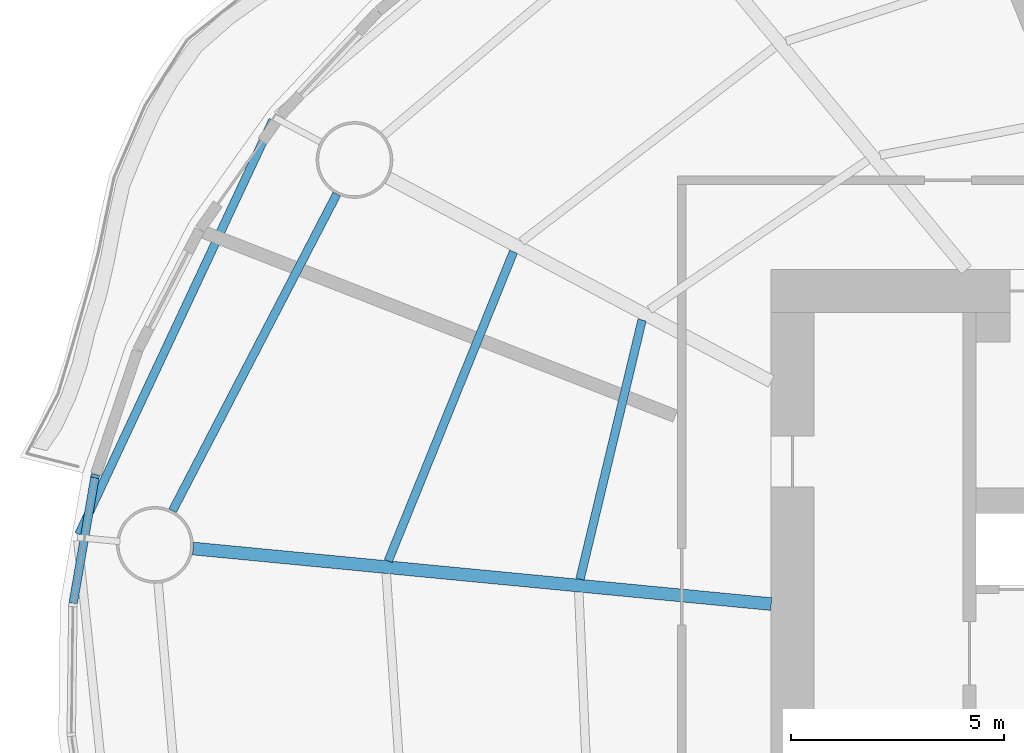
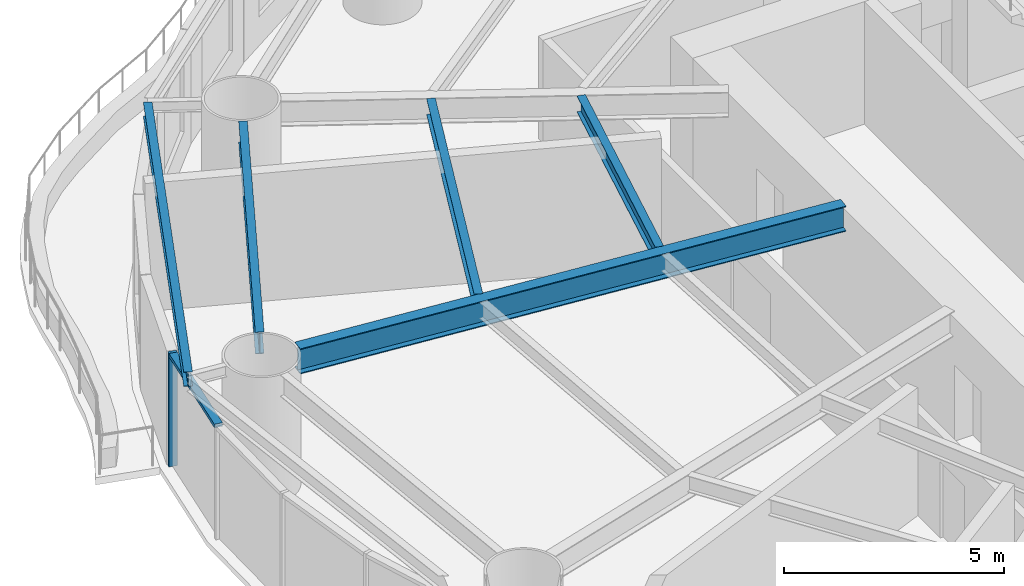
# One storey, part 3 of 16: 5 beams, 2 members, 1 element without a shape of its own.
"""IFC4 building model written with IfcOpenShell, lengths in metres."""

import ifcopenshell
import ifcopenshell.guid

model = None  # the IFC model being written
_history = None  # IfcOwnerHistory: only IFC2X3 demands one
_inside = {}  # id of a spatial element -> (the spatial element, [elements in it])
_under = {}  # id of a project, library or spatial element -> (it, [spatial elements below it])
_declared = {}  # id of a project -> (the project, [libraries it declares])
_typed = {}  # id of a type object -> (the type object, [elements of that type])
_made_of = {}  # id of a material, layer set ... -> (it, [elements and type objects made of it])


def new_model(schema):
    """Start an empty IFC model of exactly this schema.

    Asked for "IFC4X3", IfcOpenShell would pick the latest addendum, in which some entities
    have other attributes; the version numbers below select the first issue.
    IFC2X3 requires an IfcOwnerHistory on every rooted entity: one is made here for all.
    """
    global model, _history
    if schema == "IFC4X3":
        model = ifcopenshell.file(schema_version=(4, 3, 0, 0))
    else:
        model = ifcopenshell.file(schema=schema)
    _inside.clear()
    _under.clear()
    _declared.clear()
    _typed.clear()
    _made_of.clear()
    _history = None
    if model.schema == "IFC2X3":
        org = make("IfcOrganization", Name="unknown")
        user = make(
            "IfcPersonAndOrganization",
            ThePerson=make("IfcPerson", FamilyName="unknown"),
            TheOrganization=org,
        )
        app = make(
            "IfcApplication",
            ApplicationDeveloper=org,
            Version="unknown",
            ApplicationFullName="unknown",
            ApplicationIdentifier="unknown",
        )
        _history = make(
            "IfcOwnerHistory",
            OwningUser=user,
            OwningApplication=app,
            ChangeAction="ADDED",
            CreationDate=0,
        )
    return model


def make(cls, **values):
    """One entity of the class cls with the attributes given. An attribute that is None is left unset."""
    return model.create_entity(
        cls, **{name: value for name, value in values.items() if value is not None}
    )


def rooted(cls, **values):
    """An entity with a GlobalId (a new one), such as an element, a storey or a relation."""
    return make(cls, GlobalId=ifcopenshell.guid.new(), OwnerHistory=_history, **values)


def si_unit(unit_type, name, prefix=None):
    """IfcSIUnit, for example si_unit("LENGTHUNIT", "METRE", prefix="MILLI")."""
    return make("IfcSIUnit", UnitType=unit_type, Prefix=prefix, Name=name)


def assignment(units):
    """IfcUnitAssignment: the units of a project."""
    return None if units is None else make("IfcUnitAssignment", Units=units)


def point(xyz):
    """IfcCartesianPoint."""
    return None if xyz is None else make("IfcCartesianPoint", Coordinates=xyz)


def direction(xyz):
    """IfcDirection."""
    return None if xyz is None else make("IfcDirection", DirectionRatios=xyz)


def frame(location, z_axis=None, x_axis=None):
    """IfcAxis2Placement3D, a coordinate frame: its origin and axes. An axis left out is left unset."""
    return make(
        "IfcAxis2Placement3D",
        Location=point(location),
        Axis=direction(z_axis),
        RefDirection=direction(x_axis),
    )


def frame_2d(location, x_axis=None):
    """IfcAxis2Placement2D, a coordinate frame in the plane: its origin and x axis."""
    return make(
        "IfcAxis2Placement2D", Location=point(location), RefDirection=direction(x_axis)
    )


def origin():
    """The frame at (0, 0, 0) with its axes left unset."""
    return frame((0.0, 0.0, 0.0))


def origin_2d():
    """The frame at (0, 0) in the plane with its x axis left unset."""
    return frame_2d((0.0, 0.0))


def place(relative_to, where):
    """IfcLocalPlacement: puts the frame where relative to a parent placement (None: the world)."""
    return make(
        "IfcLocalPlacement", PlacementRelTo=relative_to, RelativePlacement=where
    )


def context(
    kind, dimensions, precision=None, world=None, true_north=None, identifier=None
):
    """IfcGeometricRepresentationContext, for example the 3D "Model" context."""
    return make(
        "IfcGeometricRepresentationContext",
        ContextIdentifier=identifier,
        ContextType=kind,
        CoordinateSpaceDimension=dimensions,
        Precision=precision,
        WorldCoordinateSystem=world,
        TrueNorth=true_north,
    )


def subcontext(parent, identifier, kind, view, scale=None):
    """IfcGeometricRepresentationSubContext, for example "Body" below "Model"."""
    return make(
        "IfcGeometricRepresentationSubContext",
        ContextIdentifier=identifier,
        ContextType=kind,
        ParentContext=parent,
        TargetScale=scale,
        TargetView=view,
    )


def project(units=None, contexts=None):
    """IfcProject with its units and contexts."""
    return rooted(
        "IfcProject",
        Name="project",
        RepresentationContexts=contexts,
        UnitsInContext=assignment(units),
    )


def spatial(cls, under=None, at=None, **own):
    """A site, building, storey or space (cls), placed at a placement, below another one or the project."""
    s = rooted(cls, ObjectPlacement=at, **own)
    if under is not None:
        _under.setdefault(under.id(), (under, []))[1].append(s)
    return s


def profile(cls, at=None, kind="AREA", **sizes):
    """A parametric profile (cls). Its sizes go by their IFC names, for example OverallWidth=200.0."""
    return make(cls, ProfileType=kind, Position=at, **sizes)


def rectangle(**sizes):
    """IfcRectangleProfileDef."""
    return profile("IfcRectangleProfileDef", **sizes)


def i_section(**sizes):
    """IfcIShapeProfileDef."""
    return profile("IfcIShapeProfileDef", **sizes)


def extrude(swept, where, along, depth):
    """IfcExtrudedAreaSolid: the profile swept, set in the frame where, extruded along a direction by depth."""
    return make(
        "IfcExtrudedAreaSolid",
        SweptArea=swept,
        Position=where,
        ExtrudedDirection=direction(along),
        Depth=depth,
    )


def shape(context_of_items, identifier, shape_type, items):
    """IfcShapeRepresentation: the items that make up one representation, for example the "Body"."""
    return make(
        "IfcShapeRepresentation",
        ContextOfItems=context_of_items,
        RepresentationIdentifier=identifier,
        RepresentationType=shape_type,
        Items=items,
    )


def material(Name=None, Category=None):
    """IfcMaterial."""
    return make("IfcMaterial", Name=Name, Category=Category)


def material_profile(
    of_material, cross_section, Name=None, Category=None, Priority=None
):
    """IfcMaterialProfile: a cross section and its material."""
    return make(
        "IfcMaterialProfile",
        Name=Name,
        Material=of_material,
        Profile=cross_section,
        Priority=Priority,
        Category=Category,
    )


def profile_set(profiles, Name=None, composite=None):
    """IfcMaterialProfileSet."""
    return make(
        "IfcMaterialProfileSet",
        Name=Name,
        MaterialProfiles=profiles,
        CompositeProfile=composite,
    )


def made_of(thing, what):
    """Note that an element or type object is made of a material, layer set ...; save() writes the relation."""
    if what is not None:
        _made_of.setdefault(what.id(), (what, []))[1].append(thing)
    return thing


def type_object(cls, material=None, **own):
    """A type object (cls), such as IfcWallType, which elements share."""
    return made_of(rooted(cls, **own), material)


def element(
    cls,
    number,
    at=None,
    inside=None,
    cuts=None,
    type_object=None,
    material=None,
    context=None,
    identifier="Body",
    shape_type=None,
    held_by="IfcProductDefinitionShape",
    body=None,
    shapes=None,
    **own,
):
    """One element of the class cls, such as IfcWall. Its Tag is "e" and its number.

    at: its placement. inside: the storey or other place that contains it. cuts: it is an
    opening in that element (IfcRelVoidsElement). A single representation is given by context,
    identifier, shape_type and body (its items); several are given by shapes. held_by: the class
    of the entity that holds the representations. save() writes the other relations.
    """
    e = rooted(cls, Tag="e%d" % number, ObjectPlacement=at, **own)
    if body is not None:
        shapes = [shape(context, identifier, shape_type, body)]
    if shapes is not None:
        e.Representation = make(held_by, Representations=shapes)
    if inside is not None:
        _inside.setdefault(inside.id(), (inside, []))[1].append(e)
    if cuts is not None:
        rooted(
            "IfcRelVoidsElement", RelatingBuildingElement=cuts, RelatedOpeningElement=e
        )
    if type_object is not None:
        _typed.setdefault(type_object.id(), (type_object, []))[1].append(e)
    return made_of(e, material)


def aggregate(whole, parts):
    """IfcRelAggregates: a whole, such as a stair, and the parts it consists of."""
    return rooted("IfcRelAggregates", RelatingObject=whole, RelatedObjects=parts)


def save(model, path):
    """Write the relations noted so far, then the file.

    IfcRelAggregates (storeys below a building ...), IfcRelContainedInSpatialStructure (elements
    in a storey), IfcRelDefinesByType, IfcRelAssociatesMaterial and IfcRelDeclares: one each for
    every whole, place, type object, material and project.
    """
    for whole, parts in _under.values():
        aggregate(whole, parts)
    for where, things in _inside.values():
        rooted(
            "IfcRelContainedInSpatialStructure",
            RelatedElements=things,
            RelatingStructure=where,
        )
    for kind, things in _typed.values():
        rooted("IfcRelDefinesByType", RelatedObjects=things, RelatingType=kind)
    for what, things in _made_of.values():
        rooted("IfcRelAssociatesMaterial", RelatedObjects=things, RelatingMaterial=what)
    for by, libraries in _declared.values():
        rooted("IfcRelDeclares", RelatingContext=by, RelatedDefinitions=libraries)
    model.write(path)


model = new_model("IFC4")

# Units and contexts
model_context = context("Model", 3, precision=1e-05, world=origin(), true_north=direction((0.0, 1.0)))
body_context = subcontext(model_context, "Body", "Model", "MODEL_VIEW")
ifc_project = project(units=[si_unit("LENGTHUNIT", "METRE"), si_unit("AREAUNIT", "SQUARE_METRE"), si_unit("VOLUMEUNIT", "CUBIC_METRE"), si_unit("PLANEANGLEUNIT", "RADIAN"), si_unit("MASSUNIT", "GRAM", prefix="KILO")], contexts=[model_context])

# Site, building, storey
site_placement = place(None, origin())
site = spatial("IfcSite", under=ifc_project, at=site_placement, CompositionType="ELEMENT")
building_placement = place(site_placement, origin())
building = spatial("IfcBuilding", under=site, at=building_placement, Name="Vermilion Reach Broadcast Tower", CompositionType="ELEMENT")
storey_placement = place(building_placement, frame((0.0, 0.0, 50.800048828125)))
storey = spatial("IfcBuildingStorey", under=building, at=storey_placement, Name="L09", CompositionType="ELEMENT", Elevation=50.800048828125)

# Beams
ifc_material_1 = material(Name="Steel S355J2", Category="steel")
ifc_material_profile_1 = material_profile(ifc_material_1, i_section(OverallWidth=0.199951171875, OverallDepth=0.39990234375, WebThickness=0.008056640625, FlangeThickness=0.012939453125, at=origin_2d()), Name="S355J2 HN 400x200x8x13")
ifc_profile_set_1 = profile_set([ifc_material_profile_1], Name="Steel S355J2")
beam_type_1 = type_object("IfcBeamType", Name="EB1 HN 400x200x8x13", PredefinedType="BEAM", material=ifc_profile_set_1)
beam_1_placement = place(storey_placement, frame((-29.694580078125, 12.508544921875, 3.349853515625), z_axis=(-0.424050882803, -0.90563836535, 0.0), x_axis=(0.90563836535, -0.424050882803, 0.0)))
element("IfcBeam", 1, at=beam_1_placement, inside=storey, type_object=beam_type_1, Name="Edge beam EB1-07", PredefinedType="BEAM", context=body_context, shape_type="SweptSolid", body=[
    extrude(i_section(OverallWidth=0.199951171875, OverallDepth=0.39990234375, WebThickness=0.008056640625, FlangeThickness=0.012939453125, at=origin_2d()), origin(), (0.0, 0.0, 1.0), 10.731201171875),
])
ifc_material_2 = material(Name="Steel S355J2", Category="steel")
ifc_material_profile_2 = material_profile(ifc_material_2, i_section(OverallWidth=0.300048828125, OverallDepth=0.699951171875, WebThickness=0.012939453125, FlangeThickness=0.02392578125, at=origin_2d()), Name="S355J2 HN 700x300x13x24")
ifc_profile_set_2 = profile_set([ifc_material_profile_2], Name="Steel S355J2")
beam_type_2 = type_object("IfcBeamType", Name="G1 HN 700x300x13x24", PredefinedType="BEAM", material=ifc_profile_set_2)
beam_2_placement = place(storey_placement, frame((-18.0, 1.1533203125, 3.199951171875), z_axis=(-0.995412178872, 0.095679643363, 0.0), x_axis=(-0.095679643363, -0.995412178872, 0.0)))
element("IfcBeam", 2, at=beam_2_placement, inside=storey, type_object=beam_type_2, Name="Girder G1-08", PredefinedType="BEAM", context=body_context, shape_type="SweptSolid", body=[
    extrude(i_section(OverallWidth=0.300048828125, OverallDepth=0.699951171875, WebThickness=0.012939453125, FlangeThickness=0.02392578125, at=origin_2d()), origin(), (0.0, 0.0, 1.0), 13.630859375),
])
ifc_material_3 = material(Name="Steel S355J2", Category="steel")
ifc_material_profile_3 = material_profile(ifc_material_3, i_section(OverallWidth=0.199951171875, OverallDepth=0.60009765625, WebThickness=0.010986328125, FlangeThickness=0.01708984375, at=origin_2d()), Name="S355J2 HN 600x200x11x17")
ifc_profile_set_3 = profile_set([ifc_material_profile_3], Name="Steel S355J2")
beam_type_3 = type_object("IfcBeamType", Name="RB1 HN 600x200x11x17", PredefinedType="BEAM", material=ifc_profile_set_3)
beam_3_placement = place(storey_placement, frame((-28.194091796875, 10.776611328125, 3.25), z_axis=(-0.460411617218, -0.887705549566, 0.0), x_axis=(0.887705549566, -0.460411617218, 0.0)))
element("IfcBeam", 3, at=beam_3_placement, inside=storey, type_object=beam_type_3, Name="Ring beam RB1-07", PredefinedType="BEAM", context=body_context, shape_type="SweptSolid", body=[
    extrude(i_section(OverallWidth=0.199951171875, OverallDepth=0.60009765625, WebThickness=0.010986328125, FlangeThickness=0.01708984375, at=origin_2d()), origin(), (0.0, 0.0, 1.0), 8.37451171875),
])
ifc_material_4 = material(Name="Steel S355J2", Category="steel")
ifc_material_profile_4 = material_profile(ifc_material_4, i_section(OverallWidth=0.199951171875, OverallDepth=0.449951171875, WebThickness=0.009033203125, FlangeThickness=0.013916015625, at=origin_2d()), Name="S355J2 HN 450x200x9x14")
ifc_profile_set_4 = profile_set([ifc_material_profile_4], Name="Steel S355J2")
beam_type_4 = type_object("IfcBeamType", Name="SB1 HN 450x200x9x14", PredefinedType="BEAM", material=ifc_profile_set_4)
beam_4_placement = place(storey_placement, frame((-21.031005859375, 7.81884765625, 3.324951171875), z_axis=(-0.232844467589, -0.972513986487, 0.0), x_axis=(0.972513986487, -0.232844467589, 0.0)))
element("IfcBeam", 4, at=beam_4_placement, inside=storey, type_object=beam_type_4, Name="Secondary beam SB1-07-1", PredefinedType="BEAM", context=body_context, shape_type="SweptSolid", body=[
    extrude(i_section(OverallWidth=0.199951171875, OverallDepth=0.449951171875, WebThickness=0.009033203125, FlangeThickness=0.013916015625, at=origin_2d()), origin(), (0.0, 0.0, 1.0), 6.25537109375),
])
beam_5_placement = place(storey_placement, frame((-24.046630859375, 9.421630859375, 3.324951171875), z_axis=(-0.375640669938, -0.926765389453, 0.0), x_axis=(0.926765389453, -0.375640669938, 0.0)))
element("IfcBeam", 5, at=beam_5_placement, inside=storey, type_object=beam_type_4, Name="Secondary beam SB1-07-2", PredefinedType="BEAM", context=body_context, shape_type="SweptSolid", body=[
    extrude(i_section(OverallWidth=0.199951171875, OverallDepth=0.449951171875, WebThickness=0.009033203125, FlangeThickness=0.013916015625, at=origin_2d()), origin(), (0.0, 0.0, 1.0), 7.8271484375),
])

# Curtain wall, members
ifc_material_5 = material(Name="Low-e laminated clear glass in aluminium frame", Category="aluminium")
curtain_wall_type = type_object("IfcCurtainWallType", Name="Slot curtain wall", PredefinedType="NOTDEFINED", material=ifc_material_5)
curtain_wall_placement = place(storey_placement, origin())
curtain_wall = element("IfcCurtainWall", 6, at=curtain_wall_placement, inside=storey, type_object=curtain_wall_type, Name="Slot curtain wall L09 22", PredefinedType="NOTDEFINED")
ifc_material_6 = material(Name="Anodised aluminium", Category="aluminium")
ifc_material_profile_5 = material_profile(ifc_material_6, rectangle(XDim=0.199951171875, YDim=0.080078125, at=origin_2d()), Name="Slot mullion 80 x 200")
ifc_profile_set_5 = profile_set([ifc_material_profile_5], Name="Anodised aluminium")
member_type_1 = type_object("IfcMemberType", Name="Slot mullion 80 x 200", PredefinedType="MULLION", material=ifc_profile_set_5)
member_1_placement = place(storey_placement, frame((-33.865478515625, 4.156005859375, 0.0), z_axis=(0.0, 0.0, 1.0), x_axis=(0.969302049058, -0.245873011314, 0.0)))
member_1 = element("IfcMember", 7, at=member_1_placement, type_object=member_type_1, Name="Slot mullion L09 22", PredefinedType="MULLION", context=body_context, shape_type="SweptSolid", body=[
    extrude(rectangle(XDim=0.199951171875, YDim=0.080078125, at=origin_2d()), origin(), (0.0, 0.0, 1.0), 3.14990234375),
])
ifc_material_7 = material(Name="Anodised aluminium", Category="aluminium")
ifc_material_profile_6 = material_profile(ifc_material_7, rectangle(XDim=0.199951171875, YDim=0.10009765625, at=origin_2d()), Name="Slot transom 200 x 100")
ifc_profile_set_6 = profile_set([ifc_material_profile_6], Name="Anodised aluminium")
member_type_2 = type_object("IfcMemberType", Name="Slot transom 200 x 100", PredefinedType="USERDEFINED", material=ifc_profile_set_6)
member_2_placement = place(storey_placement, frame((-33.872314453125, 4.11669921875, 3.099853515625), z_axis=(-0.170292734934, -0.98539351755, 0.0), x_axis=(0.98539351755, -0.170292734934, 0.0)))
member_2 = element("IfcMember", 8, at=member_2_placement, type_object=member_type_2, Name="Slot transom L09 22.1", ObjectType="TRANSOM", PredefinedType="USERDEFINED", context=body_context, shape_type="SweptSolid", body=[
    extrude(rectangle(XDim=0.199951171875, YDim=0.10009765625, at=origin_2d()), origin(), (0.0, 0.0, 1.0), 2.98779296875),
])
aggregate(curtain_wall, [member_1, member_2])

save(model, "model.ifc")
